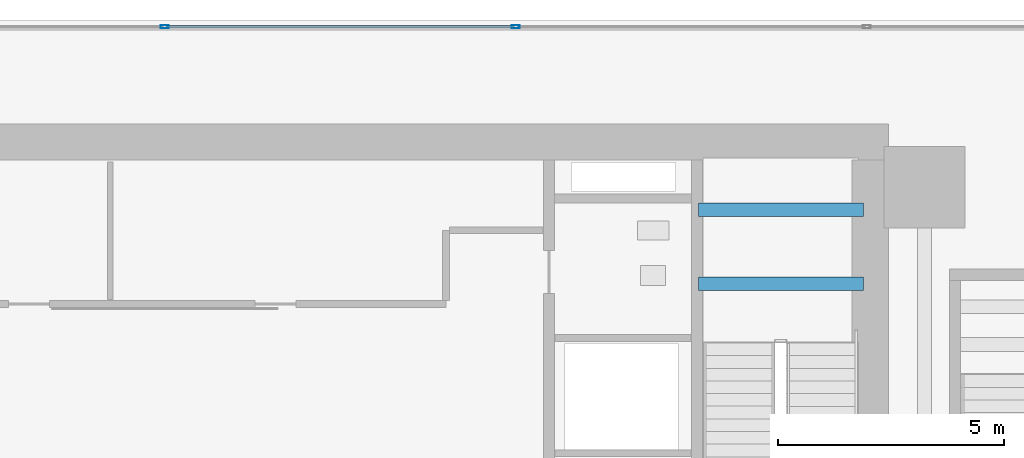
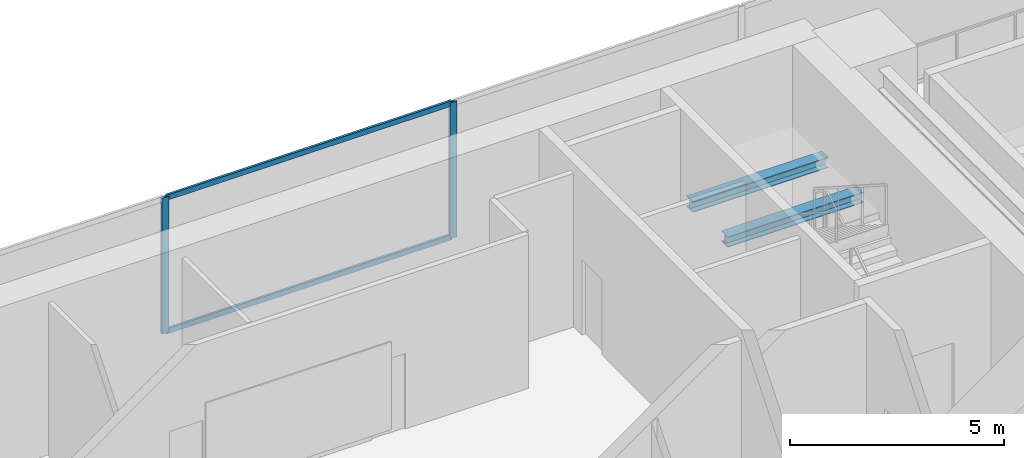
# One storey, part 5 of 17: 4 members, 2 beams, 1 element without a shape of its own.
"""IFC4 building model written with IfcOpenShell, lengths in metres."""

from ifc_helpers import new_model, si_unit, direction, frame, origin, origin_2d, place, context, subcontext, project, spatial, hollow_rectangle, i_section, extrude, source, transform, mapped, material, layer, layer_set, material_profile, profile_set, type_object, element, aggregate, save


model = new_model("IFC4")

# Units and contexts
model_context = context("Model", 3, precision=1e-05, world=origin(), true_north=direction((0.0, 1.0)))
body_context = subcontext(model_context, "Body", "Model", "MODEL_VIEW")
ifc_project = project(units=[si_unit("LENGTHUNIT", "METRE"), si_unit("AREAUNIT", "SQUARE_METRE"), si_unit("VOLUMEUNIT", "CUBIC_METRE"), si_unit("PLANEANGLEUNIT", "RADIAN"), si_unit("MASSUNIT", "GRAM", prefix="KILO")], contexts=[model_context])

# Site, building, storey
site_placement = place(None, origin())
site = spatial("IfcSite", under=ifc_project, at=site_placement, CompositionType="ELEMENT")
building_placement = place(site_placement, origin())
building = spatial("IfcBuilding", under=site, at=building_placement, Name="Sumidabori Civic Tower", CompositionType="ELEMENT")
storey_placement = place(building_placement, frame((0.0, 0.0, 5.0)))
storey = spatial("IfcBuildingStorey", under=building, at=storey_placement, Name="L01", CompositionType="ELEMENT", Elevation=5.0)

# Beams
ifc_material_1 = material(Name="Steel SN490", Category="steel")
ifc_material_profile_1 = material_profile(ifc_material_1, i_section(OverallWidth=0.300048828125, OverallDepth=0.300048828125, WebThickness=0.010986328125, FlangeThickness=0.01904296875, at=origin_2d()), Name="HE 300 B")
ifc_profile_set_1 = profile_set([ifc_material_profile_1], Name="Steel SN490")
beam_type = type_object("IfcBeamType", Name="BM-LDG-300", PredefinedType="BEAM", material=ifc_profile_set_1)
shared_shape_1 = source(origin(), body_context, "Body", "SweptSolid", [
    extrude(i_section(OverallWidth=0.300048828125, OverallDepth=0.300048828125, WebThickness=0.010986328125, FlangeThickness=0.01904296875, at=origin_2d()), origin(), (0.0, 0.0, 1.0), 3.64990234375),
])
for number, where, z_axis, x_axis, name in (
    (1, (11.800048828125, 20.668701171875, 1.97509765625), (1.0, 0.0, 0.0), (0.0, 1.0, 0.0), "Stair ST-2 Landing Support Beam L01-1A"),
    (2, (11.800048828125, 22.3046875, 1.97509765625), (1.0, 0.0, 0.0), (0.0, 1.0, 0.0), "Stair ST-2 Landing Trimmer Beam L01-1B"),
):
    element("IfcBeam", number, at=place(storey_placement, frame(where, z_axis=z_axis, x_axis=x_axis)), inside=storey, type_object=beam_type, Name=name, PredefinedType="BEAM", context=body_context, shape_type="MappedRepresentation", body=[
        mapped(shared_shape_1, transform((0.0, 0.0, 0.0), x_axis=(1.0, 0.0, 0.0), y_axis=(0.0, 1.0, 0.0), z_axis=(0.0, 0.0, 1.0), scale=1.0)),
    ])

# Curtain wall, members
ifc_material_2 = material(Name="Anodised Bronze Aluminium AW-6063-T6", Category="aluminium")
ifc_layer = layer(ifc_material_2, 0.179931640625, Name="Anodised Bronze Aluminium AW-6063-T6")
ifc_layer_set = layer_set([ifc_layer], Name="Anodised Bronze Aluminium AW-6063-T6")
curtain_wall_type = type_object("IfcCurtainWallType", Name="CW-SYS-1", PredefinedType="NOTDEFINED", material=ifc_layer_set)
curtain_wall_placement = place(storey_placement, origin())
curtain_wall = element("IfcCurtainWall", 3, at=curtain_wall_placement, inside=storey, type_object=curtain_wall_type, Name="Curtain Wall CW:L01:NORTH", PredefinedType="NOTDEFINED")
ifc_material_profile_2 = material_profile(ifc_material_2, hollow_rectangle(XDim=0.070068359375, YDim=0.179931640625, WallThickness=0.006103515625, at=origin_2d()), Name="ALU MULLION 180x70")
ifc_profile_set_2 = profile_set([ifc_material_profile_2], Name="Anodised Bronze Aluminium AW-6063-T6")
member_type_1 = type_object("IfcMemberType", Name="CW-MUL-180", PredefinedType="MULLION", material=ifc_profile_set_2)
shared_shape_2 = source(origin(), body_context, "Body", "SweptSolid", [
    extrude(hollow_rectangle(XDim=0.070068359375, YDim=0.179931640625, WallThickness=0.006103515625, at=origin_2d()), origin(), (0.0, 0.0, 1.0), 3.8701171875),
])
member_1_placement = place(storey_placement, frame((0.0, 26.35009765625, 0.0), z_axis=(0.0, 0.0, 1.0), x_axis=(0.0, 1.0, 0.0)))
member_1 = element("IfcMember", 4, at=member_1_placement, type_object=member_type_1, Name="CW-1 mullion 6", PredefinedType="MULLION", context=body_context, shape_type="MappedRepresentation", body=[
    mapped(shared_shape_2, transform((0.0, 0.0, 0.0), x_axis=(1.0, 0.0, 0.0), y_axis=(0.0, 1.0, 0.0), z_axis=(0.0, 0.0, 1.0), scale=1.0)),
])
member_2_placement = place(storey_placement, frame((7.760009765625, 26.35009765625, 0.0), z_axis=(0.0, 0.0, 1.0), x_axis=(0.0, 1.0, 0.0)))
member_2 = element("IfcMember", 5, at=member_2_placement, type_object=member_type_1, Name="CW-1 mullion 7", PredefinedType="MULLION", context=body_context, shape_type="MappedRepresentation", body=[
    mapped(shared_shape_2, transform((0.0, 0.0, 0.0), x_axis=(1.0, 0.0, 0.0), y_axis=(0.0, 1.0, 0.0), z_axis=(0.0, 0.0, 1.0), scale=1.0)),
])
ifc_material_profile_3 = material_profile(ifc_material_2, hollow_rectangle(XDim=0.06494140625, YDim=0.14990234375, WallThickness=0.0048828125, at=origin_2d()), Name="ALU TRANSOM 150x65")
ifc_profile_set_3 = profile_set([ifc_material_profile_3], Name="Anodised Bronze Aluminium AW-6063-T6")
member_type_2 = type_object("IfcMemberType", Name="CW-TRN-150", PredefinedType="USERDEFINED", material=ifc_profile_set_3)
shared_shape_3 = source(origin(), body_context, "Body", "SweptSolid", [
    extrude(hollow_rectangle(XDim=0.06494140625, YDim=0.14990234375, WallThickness=0.0048828125, at=origin_2d()), origin(), (0.0, 0.0, 1.0), 7.690185546875),
])
member_3_placement = place(storey_placement, frame((0.034912109375, 26.35009765625, 0.032470703125), z_axis=(1.0, 0.0, 0.0), x_axis=(0.0, 1.0, 0.0)))
member_3 = element("IfcMember", 6, at=member_3_placement, type_object=member_type_2, Name="CW-1 transom 6.1", ObjectType="TRANSOM", PredefinedType="USERDEFINED", context=body_context, shape_type="MappedRepresentation", body=[
    mapped(shared_shape_3, transform((0.0, 0.0, 0.0), x_axis=(1.0, 0.0, 0.0), y_axis=(0.0, 1.0, 0.0), z_axis=(0.0, 0.0, 1.0), scale=1.0)),
])
member_4_placement = place(storey_placement, frame((0.034912109375, 26.35009765625, 3.83740234375), z_axis=(1.0, 0.0, 0.0), x_axis=(0.0, 1.0, 0.0)))
member_4 = element("IfcMember", 7, at=member_4_placement, type_object=member_type_2, Name="CW-1 transom 6.2", ObjectType="TRANSOM", PredefinedType="USERDEFINED", context=body_context, shape_type="MappedRepresentation", body=[
    mapped(shared_shape_3, transform((0.0, 0.0, 0.0), x_axis=(1.0, 0.0, 0.0), y_axis=(0.0, 1.0, 0.0), z_axis=(0.0, 0.0, 1.0), scale=1.0)),
])
aggregate(curtain_wall, [member_1, member_2, member_3, member_4])

save(model, "model.ifc")
